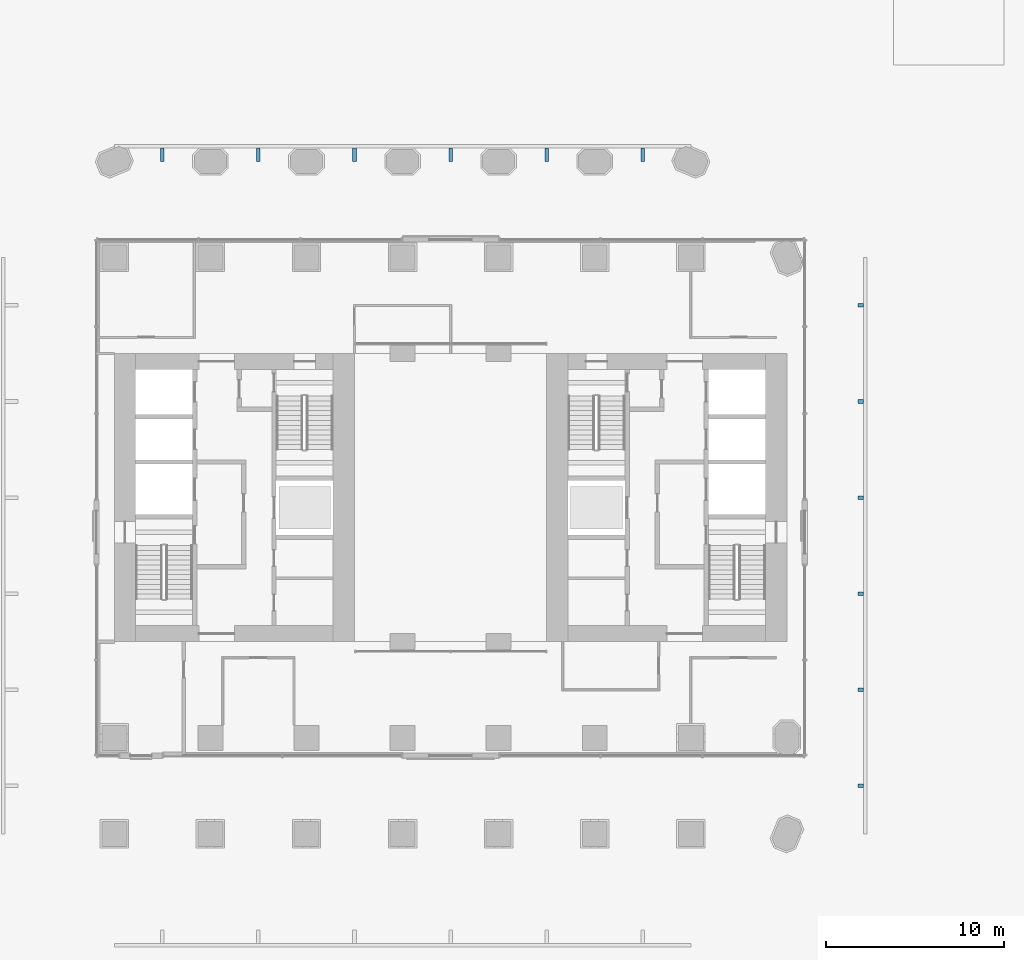
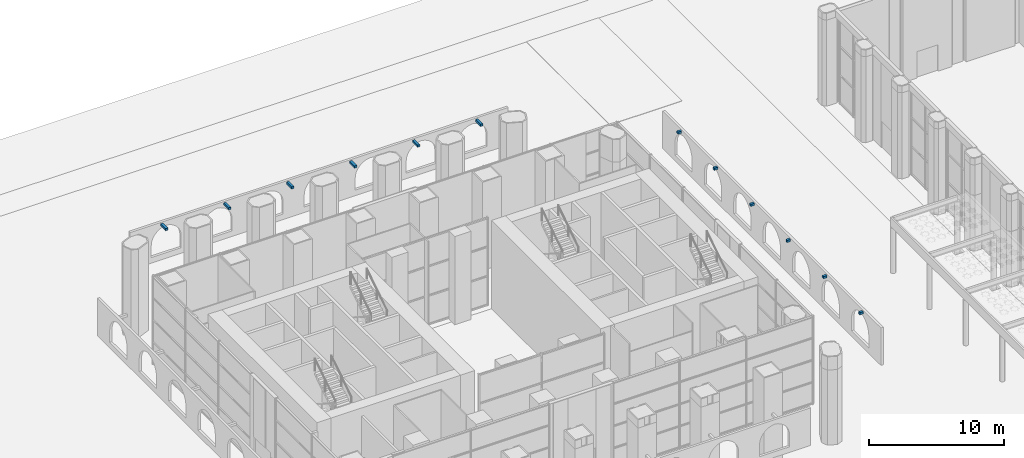
# One storey, part 39 of 54: 12 discrete accessories.
"""IFC4 building model written with IfcOpenShell, lengths in metres."""

from ifc_helpers import new_model, si_unit, direction, frame, origin, origin_2d, place, context, subcontext, project, spatial, rectangle, extrude, element, save


model = new_model("IFC4")

# Units and contexts
model_context = context("Model", 3, precision=1e-05, world=origin(), true_north=direction((0.0, 1.0)))
body_context = subcontext(model_context, "Body", "Model", "MODEL_VIEW")
ifc_project = project(units=[si_unit("LENGTHUNIT", "METRE"), si_unit("AREAUNIT", "SQUARE_METRE"), si_unit("VOLUMEUNIT", "CUBIC_METRE"), si_unit("PLANEANGLEUNIT", "RADIAN"), si_unit("MASSUNIT", "GRAM", prefix="KILO")], contexts=[model_context])

# Site, building, storey
site_placement = place(None, origin())
site = spatial("IfcSite", under=ifc_project, at=site_placement, CompositionType="ELEMENT")
building_placement = place(site_placement, origin())
building = spatial("IfcBuilding", under=site, at=building_placement, Name="Tabaq Tower and Sports Hall", CompositionType="ELEMENT")
storey_placement = place(building_placement, origin())
storey = spatial("IfcBuildingStorey", under=building, at=storey_placement, Name="L00", CompositionType="ELEMENT", Elevation=0.0)

# Discrete accessories
for number, where, z_axis, x_axis, name in (
    (1, (47.35009765625, 8.10009765625, 8.10009765625), (0.0, 0.0, 1.0), (0.0, -1.0, 0.0), "Stainless steel bracket"),
    (2, (47.35009765625, 13.5, 8.10009765625), (0.0, 0.0, 1.0), (0.0, -1.0, 0.0), "Stainless steel bracket"),
    (3, (47.35009765625, 18.89990234375, 8.10009765625), (0.0, 0.0, 1.0), (0.0, -1.0, 0.0), "Stainless steel bracket"),
    (4, (47.35009765625, 24.300048828125, 8.10009765625), (0.0, 0.0, 1.0), (0.0, -1.0, 0.0), "Stainless steel bracket"),
    (5, (47.35009765625, 29.699951171875, 8.10009765625), (0.0, 0.0, 1.0), (0.0, -1.0, 0.0), "Stainless steel bracket"),
    (6, (47.35009765625, 35.10009765625, 8.10009765625), (0.0, 0.0, 1.0), (0.0, -1.0, 0.0), "Stainless steel bracket"),
):
    element("IfcDiscreteAccessory", number, at=place(storey_placement, frame(where, z_axis=z_axis, x_axis=x_axis)), inside=storey, Name=name, PredefinedType="BRACKET", context=body_context, shape_type="SweptSolid", body=[
        extrude(rectangle(XDim=0.199951171875, YDim=0.300048828125, at=origin_2d()), origin(), (0.0, 0.0, 1.0), 0.199951171875),
    ])
for number, where, z_axis, x_axis, name in (
    (7, (35.10009765625, 43.574951171875, 8.10009765625), (0.0, 0.0, 1.0), (1.0, 0.0, 0.0), "Stainless steel bracket"),
    (8, (29.699951171875, 43.574951171875, 8.10009765625), (0.0, 0.0, 1.0), (1.0, 0.0, 0.0), "Stainless steel bracket"),
    (9, (24.300048828125, 43.574951171875, 8.10009765625), (0.0, 0.0, 1.0), (1.0, 0.0, 0.0), "Stainless steel bracket"),
    (10, (18.89990234375, 43.574951171875, 8.10009765625), (0.0, 0.0, 1.0), (1.0, 0.0, 0.0), "Stainless steel bracket"),
    (11, (13.5, 43.574951171875, 8.10009765625), (0.0, 0.0, 1.0), (1.0, 0.0, 0.0), "Stainless steel bracket"),
    (12, (8.10009765625, 43.574951171875, 8.10009765625), (0.0, 0.0, 1.0), (1.0, 0.0, 0.0), "Stainless steel bracket"),
):
    element("IfcDiscreteAccessory", number, at=place(storey_placement, frame(where, z_axis=z_axis, x_axis=x_axis)), inside=storey, Name=name, PredefinedType="BRACKET", context=body_context, shape_type="SweptSolid", body=[
        extrude(rectangle(XDim=0.199951171875, YDim=0.75, at=origin_2d()), origin(), (0.0, 0.0, 1.0), 0.199951171875),
    ])

save(model, "model.ifc")
